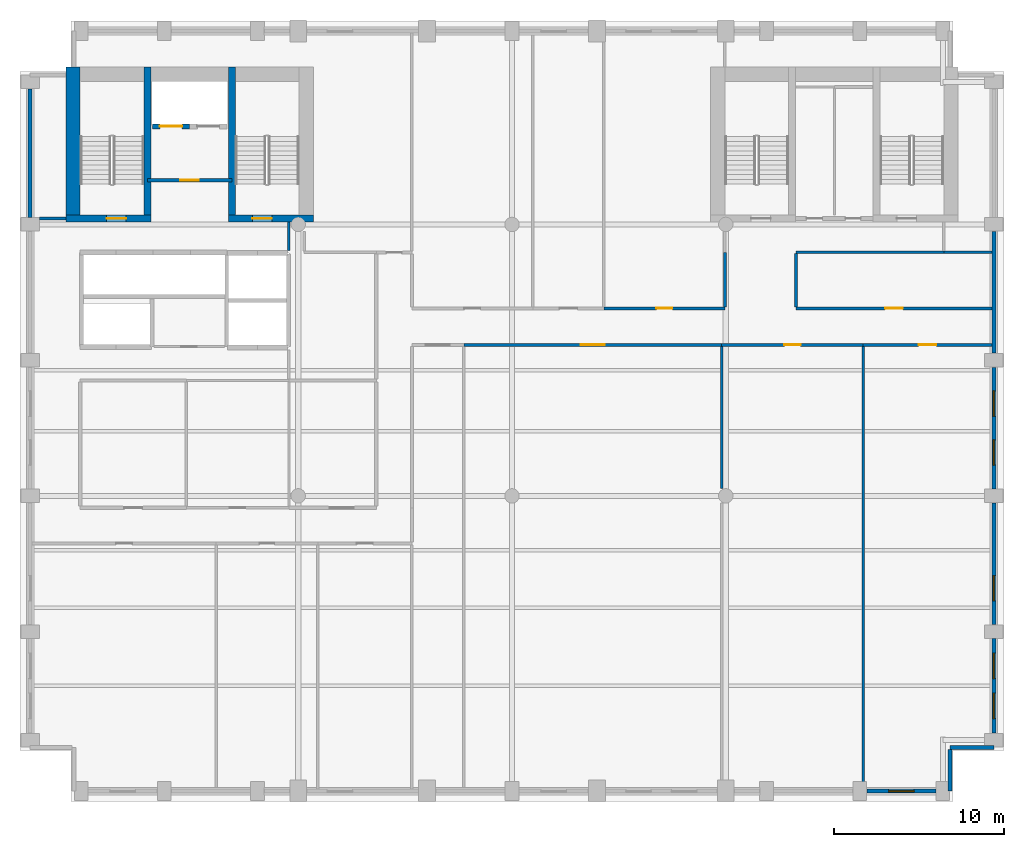
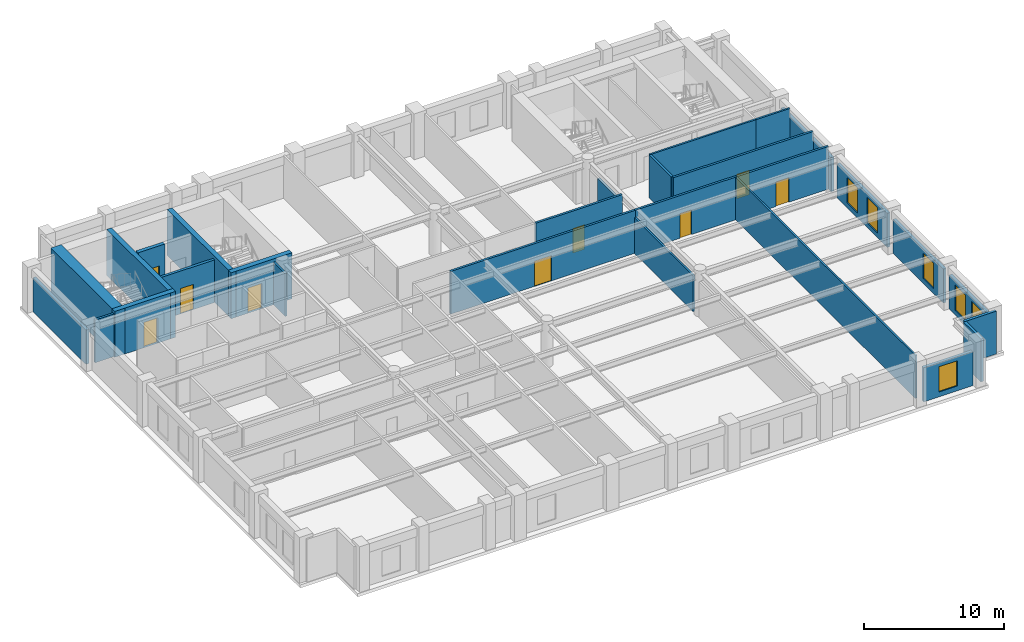
# One storey, part 4 of 8: 28 walls, 9 doors, 6 windows, 15 openings.
"""IFC4 building model written with IfcOpenShell, lengths in metres."""

import ifcopenshell
import ifcopenshell.guid

model = None  # the IFC model being written
_history = None  # IfcOwnerHistory: only IFC2X3 demands one
_inside = {}  # id of a spatial element -> (the spatial element, [elements in it])
_under = {}  # id of a project, library or spatial element -> (it, [spatial elements below it])
_declared = {}  # id of a project -> (the project, [libraries it declares])
_typed = {}  # id of a type object -> (the type object, [elements of that type])
_made_of = {}  # id of a material, layer set ... -> (it, [elements and type objects made of it])


def new_model(schema):
    """Start an empty IFC model of exactly this schema.

    Asked for "IFC4X3", IfcOpenShell would pick the latest addendum, in which some entities
    have other attributes; the version numbers below select the first issue.
    IFC2X3 requires an IfcOwnerHistory on every rooted entity: one is made here for all.
    """
    global model, _history
    if schema == "IFC4X3":
        model = ifcopenshell.file(schema_version=(4, 3, 0, 0))
    else:
        model = ifcopenshell.file(schema=schema)
    _inside.clear()
    _under.clear()
    _declared.clear()
    _typed.clear()
    _made_of.clear()
    _history = None
    if model.schema == "IFC2X3":
        org = make("IfcOrganization", Name="unknown")
        user = make(
            "IfcPersonAndOrganization",
            ThePerson=make("IfcPerson", FamilyName="unknown"),
            TheOrganization=org,
        )
        app = make(
            "IfcApplication",
            ApplicationDeveloper=org,
            Version="unknown",
            ApplicationFullName="unknown",
            ApplicationIdentifier="unknown",
        )
        _history = make(
            "IfcOwnerHistory",
            OwningUser=user,
            OwningApplication=app,
            ChangeAction="ADDED",
            CreationDate=0,
        )
    return model


def make(cls, **values):
    """One entity of the class cls with the attributes given. An attribute that is None is left unset."""
    return model.create_entity(
        cls, **{name: value for name, value in values.items() if value is not None}
    )


def rooted(cls, **values):
    """An entity with a GlobalId (a new one), such as an element, a storey or a relation."""
    return make(cls, GlobalId=ifcopenshell.guid.new(), OwnerHistory=_history, **values)


def si_unit(unit_type, name, prefix=None):
    """IfcSIUnit, for example si_unit("LENGTHUNIT", "METRE", prefix="MILLI")."""
    return make("IfcSIUnit", UnitType=unit_type, Prefix=prefix, Name=name)


def assignment(units):
    """IfcUnitAssignment: the units of a project."""
    return None if units is None else make("IfcUnitAssignment", Units=units)


def point(xyz):
    """IfcCartesianPoint."""
    return None if xyz is None else make("IfcCartesianPoint", Coordinates=xyz)


def direction(xyz):
    """IfcDirection."""
    return None if xyz is None else make("IfcDirection", DirectionRatios=xyz)


def frame(location, z_axis=None, x_axis=None):
    """IfcAxis2Placement3D, a coordinate frame: its origin and axes. An axis left out is left unset."""
    return make(
        "IfcAxis2Placement3D",
        Location=point(location),
        Axis=direction(z_axis),
        RefDirection=direction(x_axis),
    )


def frame_2d(location, x_axis=None):
    """IfcAxis2Placement2D, a coordinate frame in the plane: its origin and x axis."""
    return make(
        "IfcAxis2Placement2D", Location=point(location), RefDirection=direction(x_axis)
    )


def origin():
    """The frame at (0, 0, 0) with its axes left unset."""
    return frame((0.0, 0.0, 0.0))


def place(relative_to, where):
    """IfcLocalPlacement: puts the frame where relative to a parent placement (None: the world)."""
    return make(
        "IfcLocalPlacement", PlacementRelTo=relative_to, RelativePlacement=where
    )


def context(
    kind, dimensions, precision=None, world=None, true_north=None, identifier=None
):
    """IfcGeometricRepresentationContext, for example the 3D "Model" context."""
    return make(
        "IfcGeometricRepresentationContext",
        ContextIdentifier=identifier,
        ContextType=kind,
        CoordinateSpaceDimension=dimensions,
        Precision=precision,
        WorldCoordinateSystem=world,
        TrueNorth=true_north,
    )


def subcontext(parent, identifier, kind, view, scale=None):
    """IfcGeometricRepresentationSubContext, for example "Body" below "Model"."""
    return make(
        "IfcGeometricRepresentationSubContext",
        ContextIdentifier=identifier,
        ContextType=kind,
        ParentContext=parent,
        TargetScale=scale,
        TargetView=view,
    )


def project(units=None, contexts=None):
    """IfcProject with its units and contexts."""
    return rooted(
        "IfcProject",
        Name="project",
        RepresentationContexts=contexts,
        UnitsInContext=assignment(units),
    )


def spatial(cls, under=None, at=None, **own):
    """A site, building, storey or space (cls), placed at a placement, below another one or the project."""
    s = rooted(cls, ObjectPlacement=at, **own)
    if under is not None:
        _under.setdefault(under.id(), (under, []))[1].append(s)
    return s


def profile(cls, at=None, kind="AREA", **sizes):
    """A parametric profile (cls). Its sizes go by their IFC names, for example OverallWidth=200.0."""
    return make(cls, ProfileType=kind, Position=at, **sizes)


def rectangle(**sizes):
    """IfcRectangleProfileDef."""
    return profile("IfcRectangleProfileDef", **sizes)


def extrude(swept, where, along, depth):
    """IfcExtrudedAreaSolid: the profile swept, set in the frame where, extruded along a direction by depth."""
    return make(
        "IfcExtrudedAreaSolid",
        SweptArea=swept,
        Position=where,
        ExtrudedDirection=direction(along),
        Depth=depth,
    )


def shape(context_of_items, identifier, shape_type, items):
    """IfcShapeRepresentation: the items that make up one representation, for example the "Body"."""
    return make(
        "IfcShapeRepresentation",
        ContextOfItems=context_of_items,
        RepresentationIdentifier=identifier,
        RepresentationType=shape_type,
        Items=items,
    )


def material(Name=None, Category=None):
    """IfcMaterial."""
    return make("IfcMaterial", Name=Name, Category=Category)


def layer(
    of_material, thickness, ventilated=None, Name=None, Category=None, Priority=None
):
    """IfcMaterialLayer: one layer of a wall or slab, of a material (None: an air gap)."""
    return make(
        "IfcMaterialLayer",
        Material=of_material,
        LayerThickness=thickness,
        IsVentilated=ventilated,
        Name=Name,
        Category=Category,
        Priority=Priority,
    )


def layer_set(layers, Name=None):
    """IfcMaterialLayerSet."""
    return make("IfcMaterialLayerSet", MaterialLayers=layers, LayerSetName=Name)


def made_of(thing, what):
    """Note that an element or type object is made of a material, layer set ...; save() writes the relation."""
    if what is not None:
        _made_of.setdefault(what.id(), (what, []))[1].append(thing)
    return thing


def type_object(cls, material=None, **own):
    """A type object (cls), such as IfcWallType, which elements share."""
    return made_of(rooted(cls, **own), material)


def element(
    cls,
    number,
    at=None,
    inside=None,
    cuts=None,
    type_object=None,
    material=None,
    context=None,
    identifier="Body",
    shape_type=None,
    held_by="IfcProductDefinitionShape",
    body=None,
    shapes=None,
    **own,
):
    """One element of the class cls, such as IfcWall. Its Tag is "e" and its number.

    at: its placement. inside: the storey or other place that contains it. cuts: it is an
    opening in that element (IfcRelVoidsElement). A single representation is given by context,
    identifier, shape_type and body (its items); several are given by shapes. held_by: the class
    of the entity that holds the representations. save() writes the other relations.
    """
    e = rooted(cls, Tag="e%d" % number, ObjectPlacement=at, **own)
    if body is not None:
        shapes = [shape(context, identifier, shape_type, body)]
    if shapes is not None:
        e.Representation = make(held_by, Representations=shapes)
    if inside is not None:
        _inside.setdefault(inside.id(), (inside, []))[1].append(e)
    if cuts is not None:
        rooted(
            "IfcRelVoidsElement", RelatingBuildingElement=cuts, RelatedOpeningElement=e
        )
    if type_object is not None:
        _typed.setdefault(type_object.id(), (type_object, []))[1].append(e)
    return made_of(e, material)


def fill(opening, filler):
    """IfcRelFillsElement: the door or window that sits in an opening."""
    return rooted(
        "IfcRelFillsElement",
        RelatingOpeningElement=opening,
        RelatedBuildingElement=filler,
    )


def aggregate(whole, parts):
    """IfcRelAggregates: a whole, such as a stair, and the parts it consists of."""
    return rooted("IfcRelAggregates", RelatingObject=whole, RelatedObjects=parts)


def save(model, path):
    """Write the relations noted so far, then the file.

    IfcRelAggregates (storeys below a building ...), IfcRelContainedInSpatialStructure (elements
    in a storey), IfcRelDefinesByType, IfcRelAssociatesMaterial and IfcRelDeclares: one each for
    every whole, place, type object, material and project.
    """
    for whole, parts in _under.values():
        aggregate(whole, parts)
    for where, things in _inside.values():
        rooted(
            "IfcRelContainedInSpatialStructure",
            RelatedElements=things,
            RelatingStructure=where,
        )
    for kind, things in _typed.values():
        rooted("IfcRelDefinesByType", RelatedObjects=things, RelatingType=kind)
    for what, things in _made_of.values():
        rooted("IfcRelAssociatesMaterial", RelatedObjects=things, RelatingMaterial=what)
    for by, libraries in _declared.values():
        rooted("IfcRelDeclares", RelatingContext=by, RelatedDefinitions=libraries)
    model.write(path)


model = new_model("IFC4")

# Units and contexts
model_context = context("Model", 3, precision=1e-05, world=origin(), true_north=direction((0.0, 1.0)))
body_context = subcontext(model_context, "Body", "Model", "MODEL_VIEW")
ifc_project = project(units=[si_unit("LENGTHUNIT", "METRE"), si_unit("AREAUNIT", "SQUARE_METRE"), si_unit("VOLUMEUNIT", "CUBIC_METRE"), si_unit("PLANEANGLEUNIT", "RADIAN"), si_unit("MASSUNIT", "GRAM", prefix="KILO")], contexts=[model_context])

# Site, building, storey
site_placement = place(None, origin())
site = spatial("IfcSite", under=ifc_project, at=site_placement, CompositionType="ELEMENT")
building_placement = place(site_placement, origin())
building = spatial("IfcBuilding", under=site, at=building_placement, Name="Sulina Concourse Tower", CompositionType="ELEMENT")
storey_placement = place(building_placement, frame((0.0, 0.0, 170.60009765625)))
storey = spatial("IfcBuildingStorey", under=building, at=storey_placement, Name="L41", CompositionType="ELEMENT", Elevation=170.60009765625)

# Wall, opening, door
ifc_material_1 = material(Name="Concrete C50/60", Category="concrete")
ifc_layer_1 = layer(ifc_material_1, 0.300048828125)
ifc_layer_set_1 = layer_set([ifc_layer_1], Name="Concrete C50/60")
wall_type_1 = type_object("IfcWallType", Name="Core Lift Hoistway Wall 300mm", PredefinedType="SOLIDWALL", material=ifc_layer_set_1)
wall_1_placement = place(storey_placement, frame((10.0, 39.780029296875, 0.0), z_axis=(0.0, 0.0, 1.0), x_axis=(-1.0, 0.0, 0.0)))
wall_1 = element("IfcWall", 1, at=wall_1_placement, inside=storey, type_object=wall_type_1, Name="L41 hoistway enclosure wall FFL-1", PredefinedType="SOLIDWALL", context=body_context, shape_type="SweptSolid", body=[
    extrude(rectangle(XDim=2.199951171875, YDim=0.300048828125, at=frame_2d((1.10009765625, 0.0))), origin(), (0.0, 0.0, 1.0), 4.0),
])
opening_1_placement = place(wall_1_placement, frame((0.449951171875, 0.0, 0.0)))
opening_1 = element("IfcOpeningElement", 2, at=opening_1_placement, cuts=wall_1, Name="Opening LD-02", PredefinedType="OPENING", context=body_context, shape_type="SweptSolid", body=[
    extrude(rectangle(XDim=1.300048828125, YDim=2.25, at=frame_2d((0.64990234375, 1.125))), frame((0.0, 0.159912109375, 0.0), z_axis=(0.0, -1.0, 0.0), x_axis=(1.0, 0.0, 0.0)), (0.0, 0.0, 1.0), 0.320068359375),
])
ifc_material_2 = material(Name="Stainless steel lift landing door", Category="steel")
ifc_layer_2 = layer(ifc_material_2, 0.050048828125)
ifc_layer_set_2 = layer_set([ifc_layer_2], Name="Stainless steel lift landing door")
door_type_1 = type_object("IfcDoorType", Name="Firefighting Lift Sliding Landing Door 1300x2250", OperationType="SLIDING_TO_RIGHT", PredefinedType="DOOR", material=ifc_layer_set_2)
door_1_placement = place(opening_1_placement, origin())
door_1 = element("IfcDoor", 3, at=door_1_placement, inside=storey, type_object=door_type_1, Name="L41 lift landing sliding door FFL-1", OperationType="SLIDING_TO_LEFT", OverallHeight=2.25, OverallWidth=1.300048828125, PredefinedType="DOOR", context=body_context, shape_type="SweptSolid", body=[
    extrude(rectangle(XDim=1.300048828125, YDim=2.25, at=frame_2d((0.64990234375, 1.125))), frame((0.0, 0.02490234375, 0.0), z_axis=(0.0, -1.0, 0.0), x_axis=(1.0, 0.0, 0.0)), (0.0, 0.0, 1.0), 0.050048828125),
])
fill(opening_1, door_1)

# Wall, opening, window
ifc_material_3 = material(Name="Precast concrete C50/60", Category="concrete")
ifc_layer_3 = layer(ifc_material_3, 0.239990234375)
ifc_layer_set_3 = layer_set([ifc_layer_3], Name="Precast concrete C50/60")
wall_type_2 = type_object("IfcWallType", Name="Crown Precast Masonry-Frame Facade Wall 240mm", PredefinedType="SOLIDWALL", material=ifc_layer_set_3)
wall_2_placement = place(storey_placement, frame((53.97998046875, 0.60009765625, 0.0), z_axis=(0.0, 0.0, 1.0), x_axis=(-1.0, 0.0, 0.0)))
wall_2 = element("IfcWall", 4, at=wall_2_placement, inside=storey, type_object=wall_type_2, Name="L41 exterior precast wall S10", PredefinedType="SOLIDWALL", context=body_context, shape_type="SweptSolid", body=[
    extrude(rectangle(XDim=4.06005859375, YDim=0.239990234375, at=frame_2d((2.030029296875, 0.0))), origin(), (0.0, 0.0, 1.0), 2.974853515625),
])
opening_2_placement = place(wall_2_placement, frame((1.280029296875, 0.0, 0.419921875)))
opening_2 = element("IfcOpeningElement", 5, at=opening_2_placement, cuts=wall_2, Name="Opening WN-71", PredefinedType="OPENING", context=body_context, shape_type="SweptSolid", body=[
    extrude(rectangle(XDim=1.5, YDim=2.199951171875, at=frame_2d((0.75, 1.10009765625))), frame((0.0, 0.1298828125, 0.0), z_axis=(0.0, -1.0, 0.0), x_axis=(1.0, 0.0, 0.0)), (0.0, 0.0, 1.0), 0.260009765625),
])
ifc_material_4 = material(Name="Low-E solar double glazing in bronze aluminium", Category="aluminium")
window_type = type_object("IfcWindowType", Name="Punched Masonry-Frame Window 1500x2200", PartitioningType="SINGLE_PANEL", PredefinedType="WINDOW", material=ifc_material_4)
window_1_placement = place(opening_2_placement, origin())
window_1 = element("IfcWindow", 6, at=window_1_placement, inside=storey, type_object=window_type, Name="L41 punched window S10-1", OverallHeight=2.199951171875, OverallWidth=1.5, PartitioningType="SINGLE_PANEL", PredefinedType="WINDOW", context=body_context, shape_type="SweptSolid", body=[
    extrude(rectangle(XDim=1.5, YDim=2.199951171875, at=frame_2d((0.75, 1.10009765625))), frame((0.0, 0.030029296875, 0.0), z_axis=(0.0, -1.0, 0.0), x_axis=(1.0, 0.0, 0.0)), (0.0, 0.0, 1.0), 0.06005859375),
])
fill(opening_2, window_1)

# Wall
wall_3_placement = place(storey_placement, frame((0.60009765625, 34.419921875, 0.0), z_axis=(0.0, 0.0, 1.0), x_axis=(0.0, 1.0, 0.0)))
element("IfcWall", 7, at=wall_3_placement, inside=storey, type_object=wall_type_2, Name="L41 exterior precast wall W5", PredefinedType="SOLIDWALL", context=body_context, shape_type="SweptSolid", body=[
    extrude(rectangle(XDim=7.56005859375, YDim=0.239990234375, at=frame_2d((3.780029296875, 0.0))), origin(), (0.0, 0.0, 1.0), 2.974853515625),
])

# Wall, openings, windows
wall_4_placement = place(storey_placement, frame((57.39990234375, 9.580078125, 0.0), z_axis=(0.0, 0.0, 1.0), x_axis=(0.0, -1.0, 0.0)))
wall_4 = element("IfcWall", 8, at=wall_4_placement, inside=storey, type_object=wall_type_2, Name="L41 exterior precast wall E1", PredefinedType="SOLIDWALL", context=body_context, shape_type="SweptSolid", body=[
    extrude(rectangle(XDim=5.56005859375, YDim=0.239990234375, at=frame_2d((2.780029296875, 0.0))), origin(), (0.0, 0.0, 1.0), 2.974853515625),
])
opening_3_placement = place(wall_4_placement, frame((0.853271484375, 0.0, 0.419921875)))
opening_3 = element("IfcOpeningElement", 9, at=opening_3_placement, cuts=wall_4, Name="Opening WN-71", PredefinedType="OPENING", context=body_context, shape_type="SweptSolid", body=[
    extrude(rectangle(XDim=1.5, YDim=2.199951171875, at=frame_2d((0.75, 1.10009765625))), frame((0.0, 0.1298828125, 0.0), z_axis=(0.0, -1.0, 0.0), x_axis=(1.0, 0.0, 0.0)), (0.0, 0.0, 1.0), 0.260009765625),
])
opening_4_placement = place(wall_4_placement, frame((3.206787109375, 0.0, 0.419921875)))
opening_4 = element("IfcOpeningElement", 10, at=opening_4_placement, cuts=wall_4, Name="Opening WN-71", PredefinedType="OPENING", context=body_context, shape_type="SweptSolid", body=[
    extrude(rectangle(XDim=1.5, YDim=2.199951171875, at=frame_2d((0.75, 1.10009765625))), frame((0.0, 0.1298828125, 0.0), z_axis=(0.0, -1.0, 0.0), x_axis=(1.0, 0.0, 0.0)), (0.0, 0.0, 1.0), 0.260009765625),
])
window_2_placement = place(opening_3_placement, origin())
window_2 = element("IfcWindow", 11, at=window_2_placement, inside=storey, type_object=window_type, Name="L41 punched window E1-1", OverallHeight=2.199951171875, OverallWidth=1.5, PartitioningType="SINGLE_PANEL", PredefinedType="WINDOW", context=body_context, shape_type="SweptSolid", body=[
    extrude(rectangle(XDim=1.5, YDim=2.199951171875, at=frame_2d((0.75, 1.10009765625))), frame((0.0, 0.030029296875, 0.0), z_axis=(0.0, -1.0, 0.0), x_axis=(1.0, 0.0, 0.0)), (0.0, 0.0, 1.0), 0.06005859375),
])
fill(opening_3, window_2)
window_3_placement = place(opening_4_placement, origin())
window_3 = element("IfcWindow", 12, at=window_3_placement, inside=storey, type_object=window_type, Name="L41 punched window E1-2", OverallHeight=2.199951171875, OverallWidth=1.5, PartitioningType="SINGLE_PANEL", PredefinedType="WINDOW", context=body_context, shape_type="SweptSolid", body=[
    extrude(rectangle(XDim=1.5, YDim=2.199951171875, at=frame_2d((0.75, 1.10009765625))), frame((0.0, 0.030029296875, 0.0), z_axis=(0.0, -1.0, 0.0), x_axis=(1.0, 0.0, 0.0)), (0.0, 0.0, 1.0), 0.06005859375),
])
fill(opening_4, window_3)

# Wall, opening, window
wall_5_placement = place(storey_placement, frame((57.39990234375, 17.580078125, 0.0), z_axis=(0.0, 0.0, 1.0), x_axis=(0.0, -1.0, 0.0)))
wall_5 = element("IfcWall", 13, at=wall_5_placement, inside=storey, type_object=wall_type_2, Name="L41 exterior precast wall E2", PredefinedType="SOLIDWALL", context=body_context, shape_type="SweptSolid", body=[
    extrude(rectangle(XDim=7.16015625, YDim=0.239990234375, at=frame_2d((3.580078125, 0.0))), origin(), (0.0, 0.0, 1.0), 2.974853515625),
])
opening_5_placement = place(wall_5_placement, frame((4.273193359375, 0.0, 0.419921875)))
opening_5 = element("IfcOpeningElement", 14, at=opening_5_placement, cuts=wall_5, Name="Opening WN-71", PredefinedType="OPENING", context=body_context, shape_type="SweptSolid", body=[
    extrude(rectangle(XDim=1.5, YDim=2.199951171875, at=frame_2d((0.75, 1.10009765625))), frame((0.0, 0.1298828125, 0.0), z_axis=(0.0, -1.0, 0.0), x_axis=(1.0, 0.0, 0.0)), (0.0, 0.0, 1.0), 0.260009765625),
])
window_4_placement = place(opening_5_placement, origin())
window_4 = element("IfcWindow", 15, at=window_4_placement, inside=storey, type_object=window_type, Name="L41 punched window E2-1", OverallHeight=2.199951171875, OverallWidth=1.5, PartitioningType="SINGLE_PANEL", PredefinedType="WINDOW", context=body_context, shape_type="SweptSolid", body=[
    extrude(rectangle(XDim=1.5, YDim=2.199951171875, at=frame_2d((0.75, 1.10009765625))), frame((0.0, 0.030029296875, 0.0), z_axis=(0.0, -1.0, 0.0), x_axis=(1.0, 0.0, 0.0)), (0.0, 0.0, 1.0), 0.06005859375),
])
fill(opening_5, window_4)

# Wall, openings, windows
wall_6_placement = place(storey_placement, frame((57.39990234375, 25.580078125, 0.0), z_axis=(0.0, 0.0, 1.0), x_axis=(0.0, -1.0, 0.0)))
wall_6 = element("IfcWall", 16, at=wall_6_placement, inside=storey, type_object=wall_type_2, Name="L41 exterior precast wall E3", PredefinedType="SOLIDWALL", context=body_context, shape_type="SweptSolid", body=[
    extrude(rectangle(XDim=7.16015625, YDim=0.239990234375, at=frame_2d((3.580078125, 0.0))), origin(), (0.0, 0.0, 1.0), 2.974853515625),
])
opening_6_placement = place(wall_6_placement, frame((1.38671875, 0.0, 0.419921875)))
opening_6 = element("IfcOpeningElement", 17, at=opening_6_placement, cuts=wall_6, Name="Opening WN-71", PredefinedType="OPENING", context=body_context, shape_type="SweptSolid", body=[
    extrude(rectangle(XDim=1.5, YDim=2.199951171875, at=frame_2d((0.75, 1.10009765625))), frame((0.0, 0.1298828125, 0.0), z_axis=(0.0, -1.0, 0.0), x_axis=(1.0, 0.0, 0.0)), (0.0, 0.0, 1.0), 0.260009765625),
])
opening_7_placement = place(wall_6_placement, frame((4.273193359375, 0.0, 0.419921875)))
opening_7 = element("IfcOpeningElement", 18, at=opening_7_placement, cuts=wall_6, Name="Opening WN-71", PredefinedType="OPENING", context=body_context, shape_type="SweptSolid", body=[
    extrude(rectangle(XDim=1.5, YDim=2.199951171875, at=frame_2d((0.75, 1.10009765625))), frame((0.0, 0.1298828125, 0.0), z_axis=(0.0, -1.0, 0.0), x_axis=(1.0, 0.0, 0.0)), (0.0, 0.0, 1.0), 0.260009765625),
])
window_5_placement = place(opening_6_placement, origin())
window_5 = element("IfcWindow", 19, at=window_5_placement, inside=storey, type_object=window_type, Name="L41 punched window E3-1", OverallHeight=2.199951171875, OverallWidth=1.5, PartitioningType="SINGLE_PANEL", PredefinedType="WINDOW", context=body_context, shape_type="SweptSolid", body=[
    extrude(rectangle(XDim=1.5, YDim=2.199951171875, at=frame_2d((0.75, 1.10009765625))), frame((0.0, 0.030029296875, 0.0), z_axis=(0.0, -1.0, 0.0), x_axis=(1.0, 0.0, 0.0)), (0.0, 0.0, 1.0), 0.06005859375),
])
fill(opening_6, window_5)
window_6_placement = place(opening_7_placement, origin())
window_6 = element("IfcWindow", 20, at=window_6_placement, inside=storey, type_object=window_type, Name="L41 punched window E3-2", OverallHeight=2.199951171875, OverallWidth=1.5, PartitioningType="SINGLE_PANEL", PredefinedType="WINDOW", context=body_context, shape_type="SweptSolid", body=[
    extrude(rectangle(XDim=1.5, YDim=2.199951171875, at=frame_2d((0.75, 1.10009765625))), frame((0.0, 0.030029296875, 0.0), z_axis=(0.0, -1.0, 0.0), x_axis=(1.0, 0.0, 0.0)), (0.0, 0.0, 1.0), 0.06005859375),
])
fill(opening_7, window_6)

# Walls
wall_7_placement = place(storey_placement, frame((57.39990234375, 33.580078125, 0.0), z_axis=(0.0, 0.0, 1.0), x_axis=(0.0, -1.0, 0.0)))
element("IfcWall", 21, at=wall_7_placement, inside=storey, type_object=wall_type_2, Name="L41 exterior precast wall E4", PredefinedType="SOLIDWALL", context=body_context, shape_type="SweptSolid", body=[
    extrude(rectangle(XDim=7.16015625, YDim=0.239990234375, at=frame_2d((3.580078125, 0.0))), origin(), (0.0, 0.0, 1.0), 2.974853515625),
])
wall_8_placement = place(storey_placement, frame((57.39990234375, 3.179931640625, 0.0), z_axis=(0.0, 0.0, 1.0), x_axis=(-1.0, 0.0, 0.0)))
element("IfcWall", 22, at=wall_8_placement, inside=storey, type_object=wall_type_2, Name="L41 exterior precast wall CSE1", PredefinedType="SOLIDWALL", context=body_context, shape_type="SweptSolid", body=[
    extrude(rectangle(XDim=2.579833984375, YDim=0.239990234375, at=frame_2d((1.2900390625, 0.0))), origin(), (0.0, 0.0, 1.0), 3.724853515625),
])
wall_9_placement = place(storey_placement, frame((54.820068359375, 3.054931640625, 0.0), z_axis=(0.0, 0.0, 1.0), x_axis=(0.0, -1.0, 0.0)))
element("IfcWall", 23, at=wall_9_placement, inside=storey, type_object=wall_type_2, Name="L41 exterior precast wall CSE2", PredefinedType="SOLIDWALL", context=body_context, shape_type="SweptSolid", body=[
    extrude(rectangle(XDim=2.454833984375, YDim=0.239990234375, at=frame_2d((1.2275390625, 0.0))), origin(), (0.0, 0.0, 1.0), 3.724853515625),
])

# Wall, opening, door
ifc_material_5 = material(Name="Gypsum board on steel stud", Category="steel")
ifc_layer_4 = layer(ifc_material_5, 0.219970703125)
ifc_layer_set_4 = layer_set([ifc_layer_4], Name="Gypsum board on steel stud")
wall_type_3 = type_object("IfcWallType", Name="Fire-Rated Lobby & Compartment Wall 220mm", PredefinedType="PARTITIONING", material=ifc_layer_set_4)
wall_10_placement = place(storey_placement, frame((7.510009765625, 36.60009765625, 0.0), z_axis=(0.0, 0.0, 1.0), x_axis=(1.0, 0.0, 0.0)))
wall_10 = element("IfcWall", 24, at=wall_10_placement, inside=storey, type_object=wall_type_3, Name="L41 firefighting lobby south fire wall", PredefinedType="PARTITIONING", context=body_context, shape_type="SweptSolid", body=[
    extrude(rectangle(XDim=4.97998046875, YDim=0.219970703125, at=frame_2d((2.489990234375, 0.0))), origin(), (0.0, 0.0, 1.0), 3.724853515625),
])
opening_8_placement = place(wall_10_placement, frame((1.93994140625, 0.0, 0.0)))
opening_8 = element("IfcOpeningElement", 25, at=opening_8_placement, cuts=wall_10, Name="Opening DR-47", PredefinedType="OPENING", context=body_context, shape_type="SweptSolid", body=[
    extrude(rectangle(XDim=1.10009765625, YDim=2.199951171875, at=frame_2d((0.550048828125, 1.10009765625))), frame((0.0, 0.119873046875, 0.0), z_axis=(0.0, -1.0, 0.0), x_axis=(1.0, 0.0, 0.0)), (0.0, 0.0, 1.0), 0.239990234375),
])
ifc_material_6 = material(Name="Galvanised steel acoustic fire leaf", Category="steel")
ifc_layer_5 = layer(ifc_material_6, 0.054931640625)
ifc_layer_set_5 = layer_set([ifc_layer_5], Name="Galvanised steel acoustic fire leaf")
door_type_2 = type_object("IfcDoorType", Name="Firefighting Lobby Fire Door 1100x2200", OperationType="NOTDEFINED", PredefinedType="DOOR", material=ifc_layer_set_5)
door_2_placement = place(opening_8_placement, origin())
door_2 = element("IfcDoor", 26, at=door_2_placement, inside=storey, type_object=door_type_2, Name="L41 firefighting lobby fire door", OperationType="SINGLE_SWING_RIGHT", OverallHeight=2.199951171875, OverallWidth=1.10009765625, PredefinedType="DOOR", context=body_context, shape_type="SweptSolid", body=[
    extrude(rectangle(XDim=1.10009765625, YDim=2.199951171875, at=frame_2d((0.550048828125, 1.10009765625))), frame((0.0, 0.02490234375, 0.0), z_axis=(0.0, -1.0, 0.0), x_axis=(1.0, 0.0, 0.0)), (0.0, 0.0, 1.0), 0.050048828125),
])
fill(opening_8, door_2)

# Walls
ifc_material_7 = material(Name="Gypsum board on steel stud", Category="steel")
ifc_layer_6 = layer(ifc_material_7, 0.14990234375)
ifc_layer_set_6 = layer_set([ifc_layer_6], Name="Gypsum board on steel stud")
wall_type_4 = type_object("IfcWallType", Name="Inter-Tenancy Acoustic Partition 150mm", PredefinedType="PARTITIONING", material=ifc_layer_set_6)
wall_11_placement = place(storey_placement, frame((45.75, 32.35009765625, 0.0), z_axis=(0.0, 0.0, 1.0), x_axis=(1.0, 0.0, 0.0)))
element("IfcWall", 27, at=wall_11_placement, inside=storey, type_object=wall_type_4, Name="L41 interior partition 021", PredefinedType="PARTITIONING", context=body_context, shape_type="SweptSolid", body=[
    extrude(rectangle(XDim=8.699951171875, YDim=0.14990234375, at=frame_2d((4.35009765625, 0.0))), origin(), (0.0, 0.0, 1.0), 3.724853515625),
])
wall_12_placement = place(storey_placement, frame((54.449951171875, 32.35009765625, 0.0), z_axis=(0.0, 0.0, 1.0), x_axis=(1.0, 0.0, 0.0)))
element("IfcWall", 28, at=wall_12_placement, inside=storey, type_object=wall_type_4, Name="L41 interior partition 022", PredefinedType="PARTITIONING", context=body_context, shape_type="SweptSolid", body=[
    extrude(rectangle(XDim=2.830078125, YDim=0.14990234375, at=frame_2d((1.4150390625, 0.0))), origin(), (0.0, 0.0, 1.0), 3.724853515625),
])
wall_13_placement = place(storey_placement, frame((15.85009765625, 32.469970703125, 0.0), z_axis=(0.0, 0.0, 1.0), x_axis=(0.0, 1.0, 0.0)))
element("IfcWall", 29, at=wall_13_placement, inside=storey, type_object=wall_type_4, Name="L41 interior partition 031", PredefinedType="PARTITIONING", context=body_context, shape_type="SweptSolid", body=[
    extrude(rectangle(XDim=1.679931640625, YDim=0.14990234375, at=frame_2d((0.83984375, 0.0))), origin(), (0.0, 0.0, 1.0), 3.724853515625),
])
wall_14_placement = place(storey_placement, frame((41.360107421875, 18.425048828125, 0.0), z_axis=(0.0, 0.0, 1.0), x_axis=(0.0, 1.0, 0.0)))
element("IfcWall", 30, at=wall_14_placement, inside=storey, type_object=wall_type_4, Name="L41 interior partition 045", PredefinedType="PARTITIONING", context=body_context, shape_type="SweptSolid", body=[
    extrude(rectangle(XDim=8.385009765625, YDim=0.14990234375, at=frame_2d((4.1923828125, 0.0))), origin(), (0.0, 0.0, 1.0), 3.119873046875),
])
wall_15_placement = place(storey_placement, frame((49.699951171875, 1.14990234375, 0.0), z_axis=(0.0, 0.0, 1.0), x_axis=(0.0, 1.0, 0.0)))
element("IfcWall", 31, at=wall_15_placement, inside=storey, type_object=wall_type_4, Name="L41 interior partition 051", PredefinedType="PARTITIONING", context=body_context, shape_type="SweptSolid", body=[
    extrude(rectangle(XDim=25.66015625, YDim=0.14990234375, at=frame_2d((12.830078125, 0.0))), origin(), (0.0, 0.0, 1.0), 3.724853515625),
])

# Wall, opening, door
ifc_material_8 = material(Name="Gypsum board on steel stud", Category="steel")
ifc_layer_7 = layer(ifc_material_8, 0.179931640625)
ifc_layer_set_7 = layer_set([ifc_layer_7], Name="Gypsum board on steel stud")
wall_type_5 = type_object("IfcWallType", Name="Protected Corridor & Riser Partition 180mm", PredefinedType="PARTITIONING", material=ifc_layer_set_7)
wall_16_placement = place(storey_placement, frame((26.159912109375, 26.89990234375, 0.0), z_axis=(0.0, 0.0, 1.0), x_axis=(1.0, 0.0, 0.0)))
wall_16 = element("IfcWall", 32, at=wall_16_placement, inside=storey, type_object=wall_type_5, Name="L41 interior partition 012", PredefinedType="PARTITIONING", context=body_context, shape_type="SweptSolid", body=[
    extrude(rectangle(XDim=15.2001953125, YDim=0.179931640625, at=frame_2d((7.60009765625, 0.0))), origin(), (0.0, 0.0, 1.0), 3.724853515625),
])
opening_9_placement = place(wall_16_placement, frame((6.89990234375, 0.0, 0.0)))
opening_9 = element("IfcOpeningElement", 33, at=opening_9_placement, cuts=wall_16, Name="Opening DR-57", PredefinedType="OPENING", context=body_context, shape_type="SweptSolid", body=[
    extrude(rectangle(XDim=1.39990234375, YDim=2.199951171875, at=frame_2d((0.699951171875, 1.10009765625))), frame((0.0, 0.099853515625, 0.0), z_axis=(0.0, -1.0, 0.0), x_axis=(1.0, 0.0, 0.0)), (0.0, 0.0, 1.0), 0.199951171875),
])
ifc_material_9 = material(Name="Oak-veneered fire door leaf")
ifc_layer_8 = layer(ifc_material_9, 0.054931640625)
ifc_layer_set_8 = layer_set([ifc_layer_8], Name="Oak-veneered fire door leaf")
door_type_3 = type_object("IfcDoorType", Name="Core Lift Lobby Double Fire Door 1400x2200", OperationType="DOUBLE_DOOR_SINGLE_SWING", PredefinedType="DOOR", material=ifc_layer_set_8)
door_3_placement = place(opening_9_placement, origin())
door_3 = element("IfcDoor", 34, at=door_3_placement, inside=storey, type_object=door_type_3, Name="L41 interior door L41-S04", OperationType="DOUBLE_DOOR_SINGLE_SWING", OverallHeight=2.199951171875, OverallWidth=1.39990234375, PredefinedType="DOOR", context=body_context, shape_type="SweptSolid", body=[
    extrude(rectangle(XDim=1.39990234375, YDim=2.199951171875, at=frame_2d((0.699951171875, 1.10009765625))), frame((0.0, 0.02490234375, 0.0), z_axis=(0.0, -1.0, 0.0), x_axis=(1.0, 0.0, 0.0)), (0.0, 0.0, 1.0), 0.050048828125),
])
fill(opening_9, door_3)

wall_17_placement = place(storey_placement, frame((41.360107421875, 26.89990234375, 0.0), z_axis=(0.0, 0.0, 1.0), x_axis=(1.0, 0.0, 0.0)))
wall_17 = element("IfcWall", 35, at=wall_17_placement, inside=storey, type_object=wall_type_5, Name="L41 interior partition 013", PredefinedType="PARTITIONING", context=body_context, shape_type="SweptSolid", body=[
    extrude(rectangle(XDim=8.33984375, YDim=0.179931640625, at=frame_2d((4.169921875, 0.0))), origin(), (0.0, 0.0, 1.0), 3.724853515625),
])
opening_10_placement = place(wall_17_placement, frame((3.695068359375, 0.0, 0.0)))
opening_10 = element("IfcOpeningElement", 36, at=opening_10_placement, cuts=wall_17, Name="Opening DR-19", PredefinedType="OPENING", context=body_context, shape_type="SweptSolid", body=[
    extrude(rectangle(XDim=0.949951171875, YDim=2.14990234375, at=frame_2d((0.47509765625, 1.074951171875))), frame((0.0, 0.099853515625, 0.0), z_axis=(0.0, -1.0, 0.0), x_axis=(1.0, 0.0, 0.0)), (0.0, 0.0, 1.0), 0.199951171875),
])
ifc_material_10 = material(Name="Oak-veneered acoustic timber leaf", Category="wood")
ifc_layer_9 = layer(ifc_material_10, 0.050048828125)
ifc_layer_set_9 = layer_set([ifc_layer_9], Name="Oak-veneered acoustic timber leaf")
door_type_4 = type_object("IfcDoorType", Name="Cellular Office & Meeting Door 950x2150", OperationType="NOTDEFINED", PredefinedType="DOOR", material=ifc_layer_set_9)
door_4_placement = place(opening_10_placement, origin())
door_4 = element("IfcDoor", 37, at=door_4_placement, inside=storey, type_object=door_type_4, Name="L41 interior door L41-S05A", OperationType="SINGLE_SWING_LEFT", OverallHeight=2.14990234375, OverallWidth=0.949951171875, PredefinedType="DOOR", context=body_context, shape_type="SweptSolid", body=[
    extrude(rectangle(XDim=0.949951171875, YDim=2.14990234375, at=frame_2d((0.47509765625, 1.074951171875))), frame((0.0, 0.02490234375, 0.0), z_axis=(0.0, -1.0, 0.0), x_axis=(1.0, 0.0, 0.0)), (0.0, 0.0, 1.0), 0.050048828125),
])
fill(opening_10, door_4)

wall_18_placement = place(storey_placement, frame((49.699951171875, 26.89990234375, 0.0), z_axis=(0.0, 0.0, 1.0), x_axis=(1.0, 0.0, 0.0)))
wall_18 = element("IfcWall", 38, at=wall_18_placement, inside=storey, type_object=wall_type_5, Name="L41 interior partition 014", PredefinedType="PARTITIONING", context=body_context, shape_type="SweptSolid", body=[
    extrude(rectangle(XDim=7.580078125, YDim=0.179931640625, at=frame_2d((3.7900390625, 0.0))), origin(), (0.0, 0.0, 1.0), 3.724853515625),
])
opening_11_placement = place(wall_18_placement, frame((3.264892578125, 0.0, 0.0)))
opening_11 = element("IfcOpeningElement", 39, at=opening_11_placement, cuts=wall_18, Name="Opening DR-37", PredefinedType="OPENING", context=body_context, shape_type="SweptSolid", body=[
    extrude(rectangle(XDim=1.050048828125, YDim=2.14990234375, at=frame_2d((0.52490234375, 1.074951171875))), frame((0.0, 0.099853515625, 0.0), z_axis=(0.0, -1.0, 0.0), x_axis=(1.0, 0.0, 0.0)), (0.0, 0.0, 1.0), 0.199951171875),
])
ifc_material_11 = material(Name="Oak-veneered fire door leaf")
ifc_layer_10 = layer(ifc_material_11, 0.050048828125)
ifc_layer_set_10 = layer_set([ifc_layer_10], Name="Oak-veneered fire door leaf")
door_type_5 = type_object("IfcDoorType", Name="Tenant Suite Entrance Fire Door 1050x2150", OperationType="NOTDEFINED", PredefinedType="DOOR", material=ifc_layer_set_10)
door_5_placement = place(opening_11_placement, origin())
door_5 = element("IfcDoor", 40, at=door_5_placement, inside=storey, type_object=door_type_5, Name="L41 interior door L41-S05B", OperationType="SINGLE_SWING_RIGHT", OverallHeight=2.14990234375, OverallWidth=1.050048828125, PredefinedType="DOOR", context=body_context, shape_type="SweptSolid", body=[
    extrude(rectangle(XDim=1.050048828125, YDim=2.14990234375, at=frame_2d((0.52490234375, 1.074951171875))), frame((0.0, 0.02490234375, 0.0), z_axis=(0.0, -1.0, 0.0), x_axis=(1.0, 0.0, 0.0)), (0.0, 0.0, 1.0), 0.050048828125),
])
fill(opening_11, door_5)

wall_19_placement = place(storey_placement, frame((34.419921875, 29.050048828125, 0.0), z_axis=(0.0, 0.0, 1.0), x_axis=(1.0, 0.0, 0.0)))
wall_19 = element("IfcWall", 41, at=wall_19_placement, inside=storey, type_object=wall_type_5, Name="L41 interior partition 017", PredefinedType="PARTITIONING", context=body_context, shape_type="SweptSolid", body=[
    extrude(rectangle(XDim=7.130126953125, YDim=0.179931640625, at=frame_2d((3.56494140625, 0.0))), origin(), (0.0, 0.0, 1.0), 3.724853515625),
])
opening_12_placement = place(wall_19_placement, frame((3.090087890625, 0.0, 0.0)))
opening_12 = element("IfcOpeningElement", 42, at=opening_12_placement, cuts=wall_19, Name="Opening DR-19", PredefinedType="OPENING", context=body_context, shape_type="SweptSolid", body=[
    extrude(rectangle(XDim=0.949951171875, YDim=2.14990234375, at=frame_2d((0.47509765625, 1.074951171875))), frame((0.0, 0.099853515625, 0.0), z_axis=(0.0, -1.0, 0.0), x_axis=(1.0, 0.0, 0.0)), (0.0, 0.0, 1.0), 0.199951171875),
])
door_6_placement = place(opening_12_placement, origin())
door_6 = element("IfcDoor", 43, at=door_6_placement, inside=storey, type_object=door_type_4, Name="L41 interior door L41-NC3", OperationType="SINGLE_SWING_LEFT", OverallHeight=2.14990234375, OverallWidth=0.949951171875, PredefinedType="DOOR", context=body_context, shape_type="SweptSolid", body=[
    extrude(rectangle(XDim=0.949951171875, YDim=2.14990234375, at=frame_2d((0.47509765625, 1.074951171875))), frame((0.0, 0.02490234375, 0.0), z_axis=(0.0, -1.0, 0.0), x_axis=(1.0, 0.0, 0.0)), (0.0, 0.0, 1.0), 0.050048828125),
])
fill(opening_12, door_6)

wall_20_placement = place(storey_placement, frame((45.75, 29.050048828125, 0.0), z_axis=(0.0, 0.0, 1.0), x_axis=(1.0, 0.0, 0.0)))
wall_20 = element("IfcWall", 44, at=wall_20_placement, inside=storey, type_object=wall_type_5, Name="L41 interior partition 018", PredefinedType="PARTITIONING", context=body_context, shape_type="SweptSolid", body=[
    extrude(rectangle(XDim=11.530029296875, YDim=0.179931640625, at=frame_2d((5.76513671875, 0.0))), origin(), (0.0, 0.0, 1.0), 3.724853515625),
])
opening_13_placement = place(wall_20_placement, frame((5.239990234375, 0.0, 0.0)))
opening_13 = element("IfcOpeningElement", 45, at=opening_13_placement, cuts=wall_20, Name="Opening DR-37", PredefinedType="OPENING", context=body_context, shape_type="SweptSolid", body=[
    extrude(rectangle(XDim=1.050048828125, YDim=2.14990234375, at=frame_2d((0.52490234375, 1.074951171875))), frame((0.0, 0.099853515625, 0.0), z_axis=(0.0, -1.0, 0.0), x_axis=(1.0, 0.0, 0.0)), (0.0, 0.0, 1.0), 0.199951171875),
])
door_7_placement = place(opening_13_placement, origin())
door_7 = element("IfcDoor", 46, at=door_7_placement, inside=storey, type_object=door_type_5, Name="L41 interior door L41-NE1", OperationType="SINGLE_SWING_RIGHT", OverallHeight=2.14990234375, OverallWidth=1.050048828125, PredefinedType="DOOR", context=body_context, shape_type="SweptSolid", body=[
    extrude(rectangle(XDim=1.050048828125, YDim=2.14990234375, at=frame_2d((0.52490234375, 1.074951171875))), frame((0.0, 0.02490234375, 0.0), z_axis=(0.0, -1.0, 0.0), x_axis=(1.0, 0.0, 0.0)), (0.0, 0.0, 1.0), 0.050048828125),
])
fill(opening_13, door_7)

# Walls
wall_21_placement = place(storey_placement, frame((1.14990234375, 34.35009765625, 0.0), z_axis=(0.0, 0.0, 1.0), x_axis=(1.0, 0.0, 0.0)))
element("IfcWall", 47, at=wall_21_placement, inside=storey, type_object=wall_type_5, Name="L41 interior partition 023", PredefinedType="PARTITIONING", context=body_context, shape_type="SweptSolid", body=[
    extrude(rectangle(XDim=1.550048828125, YDim=0.179931640625, at=frame_2d((0.77490234375, 0.0))), origin(), (0.0, 0.0, 1.0), 3.724853515625),
])
wall_22_placement = place(storey_placement, frame((41.550048828125, 29.139892578125, 0.0), z_axis=(0.0, 0.0, 1.0), x_axis=(0.0, 1.0, 0.0)))
element("IfcWall", 48, at=wall_22_placement, inside=storey, type_object=wall_type_5, Name="L41 interior partition 046", PredefinedType="PARTITIONING", context=body_context, shape_type="SweptSolid", body=[
    extrude(rectangle(XDim=3.210205078125, YDim=0.179931640625, at=frame_2d((1.60498046875, 0.0))), origin(), (0.0, 0.0, 1.0), 3.119873046875),
])
wall_23_placement = place(storey_placement, frame((45.75, 29.139892578125, 0.0), z_axis=(0.0, 0.0, 1.0), x_axis=(0.0, 1.0, 0.0)))
element("IfcWall", 49, at=wall_23_placement, inside=storey, type_object=wall_type_5, Name="L41 interior partition 049", PredefinedType="PARTITIONING", context=body_context, shape_type="SweptSolid", body=[
    extrude(rectangle(XDim=3.135009765625, YDim=0.179931640625, at=frame_2d((1.5673828125, 0.0))), origin(), (0.0, 0.0, 1.0), 3.724853515625),
])

# Wall, opening, door
ifc_material_12 = material(Name="Concrete C60/75", Category="concrete")
ifc_layer_11 = layer(ifc_material_12, 0.39990234375)
ifc_layer_set_11 = layer_set([ifc_layer_11], Name="Concrete C60/75")
wall_type_6 = type_object("IfcWallType", Name="Protected Stair Core Shear Wall 400mm", PredefinedType="SHEAR", material=ifc_layer_set_11)
wall_24_placement = place(storey_placement, frame((2.699951171875, 34.35009765625, 0.0), z_axis=(0.0, 0.0, 1.0), x_axis=(1.0, 0.0, 0.0)))
wall_24 = element("IfcWall", 50, at=wall_24_placement, inside=storey, type_object=wall_type_6, Name="L41 west core shear wall CW-WS1", PredefinedType="SHEAR", context=body_context, shape_type="SweptSolid", body=[
    extrude(rectangle(XDim=5.010009765625, YDim=0.39990234375, at=frame_2d((2.5048828125, 0.0))), origin(), (0.0, 0.0, 1.0), 4.0),
])
opening_14_placement = place(wall_24_placement, frame((2.39990234375, 0.0, 0.0)))
opening_14 = element("IfcOpeningElement", 51, at=opening_14_placement, cuts=wall_24, Name="Opening DR-60", PredefinedType="OPENING", context=body_context, shape_type="SweptSolid", body=[
    extrude(rectangle(XDim=1.14990234375, YDim=2.199951171875, at=frame_2d((0.574951171875, 1.10009765625))), frame((0.0, 0.2099609375, 0.0), z_axis=(0.0, -1.0, 0.0), x_axis=(1.0, 0.0, 0.0)), (0.0, 0.0, 1.0), 0.419921875),
])
ifc_material_13 = material(Name="Galvanised steel acoustic fire leaf", Category="steel")
ifc_layer_12 = layer(ifc_material_13, 0.054931640625)
ifc_layer_set_12 = layer_set([ifc_layer_12], Name="Galvanised steel acoustic fire leaf")
door_type_6 = type_object("IfcDoorType", Name="Protected Exit Stair Fire Door 1150x2200", OperationType="NOTDEFINED", PredefinedType="DOOR", material=ifc_layer_set_12)
door_8_placement = place(opening_14_placement, origin())
door_8 = element("IfcDoor", 52, at=door_8_placement, inside=storey, type_object=door_type_6, Name="L41 stair ST-1 lobby fire door", OperationType="SINGLE_SWING_RIGHT", OverallHeight=2.199951171875, OverallWidth=1.14990234375, PredefinedType="DOOR", context=body_context, shape_type="SweptSolid", body=[
    extrude(rectangle(XDim=1.14990234375, YDim=2.199951171875, at=frame_2d((0.574951171875, 1.10009765625))), frame((0.0, 0.02490234375, 0.0), z_axis=(0.0, -1.0, 0.0), x_axis=(1.0, 0.0, 0.0)), (0.0, 0.0, 1.0), 0.050048828125),
])
fill(opening_14, door_8)

wall_25_placement = place(storey_placement, frame((12.2900390625, 34.35009765625, 0.0), z_axis=(0.0, 0.0, 1.0), x_axis=(1.0, 0.0, 0.0)))
wall_25 = element("IfcWall", 53, at=wall_25_placement, inside=storey, type_object=wall_type_6, Name="L41 west core shear wall CW-WS2", PredefinedType="SHEAR", context=body_context, shape_type="SweptSolid", body=[
    extrude(rectangle(XDim=5.010009765625, YDim=0.39990234375, at=frame_2d((2.5048828125, 0.0))), origin(), (0.0, 0.0, 1.0), 4.0),
])
opening_15_placement = place(wall_25_placement, frame((1.39990234375, 0.0, 0.0)))
opening_15 = element("IfcOpeningElement", 54, at=opening_15_placement, cuts=wall_25, Name="Opening DR-60", PredefinedType="OPENING", context=body_context, shape_type="SweptSolid", body=[
    extrude(rectangle(XDim=1.14990234375, YDim=2.199951171875, at=frame_2d((0.574951171875, 1.10009765625))), frame((0.0, 0.2099609375, 0.0), z_axis=(0.0, -1.0, 0.0), x_axis=(1.0, 0.0, 0.0)), (0.0, 0.0, 1.0), 0.419921875),
])
door_9_placement = place(opening_15_placement, origin())
door_9 = element("IfcDoor", 55, at=door_9_placement, inside=storey, type_object=door_type_6, Name="L41 stair ST-2 lobby fire door", OperationType="SINGLE_SWING_LEFT", OverallHeight=2.199951171875, OverallWidth=1.14990234375, PredefinedType="DOOR", context=body_context, shape_type="SweptSolid", body=[
    extrude(rectangle(XDim=1.14990234375, YDim=2.199951171875, at=frame_2d((0.574951171875, 1.10009765625))), frame((0.0, 0.02490234375, 0.0), z_axis=(0.0, -1.0, 0.0), x_axis=(1.0, 0.0, 0.0)), (0.0, 0.0, 1.0), 0.050048828125),
])
fill(opening_15, door_9)

# Walls
for number, where, z_axis, x_axis, name in (
    (56, (7.510009765625, 34.14990234375, 0.0), (0.0, 0.0, 1.0), (0.0, 1.0, 0.0), "L41 west core shear wall SW-ST1"),
    (57, (12.489990234375, 34.14990234375, 0.0), (0.0, 0.0, 1.0), (0.0, 1.0, 0.0), "L41 west core shear wall SW-ST2"),
):
    element("IfcWall", number, at=place(storey_placement, frame(where, z_axis=z_axis, x_axis=x_axis)), inside=storey, type_object=wall_type_6, Name=name, PredefinedType="SHEAR", context=body_context, shape_type="SweptSolid", body=[
        extrude(rectangle(XDim=9.130126953125, YDim=0.39990234375, at=frame_2d((4.56494140625, 0.0))), origin(), (0.0, 0.0, 1.0), 4.0),
    ])
ifc_material_14 = material(Name="Concrete C60/75", Category="concrete")
ifc_layer_13 = layer(ifc_material_14, 0.85009765625)
ifc_layer_set_13 = layer_set([ifc_layer_13], Name="Concrete C60/75")
wall_type_7 = type_object("IfcWallType", Name="Rear Core Shear Wall 850mm", PredefinedType="SHEAR", material=ifc_layer_set_13)
wall_26_placement = place(storey_placement, frame((3.125, 34.14990234375, 0.0), z_axis=(0.0, 0.0, 1.0), x_axis=(0.0, 1.0, 0.0)))
element("IfcWall", 58, at=wall_26_placement, inside=storey, type_object=wall_type_7, Name="L41 west core shear wall CW-WW", PredefinedType="SHEAR", context=body_context, shape_type="SweptSolid", body=[
    extrude(rectangle(XDim=9.130126953125, YDim=0.85009765625, at=frame_2d((4.56494140625, 0.0))), origin(), (0.0, 0.0, 1.0), 4.0),
])

save(model, "model.ifc")
